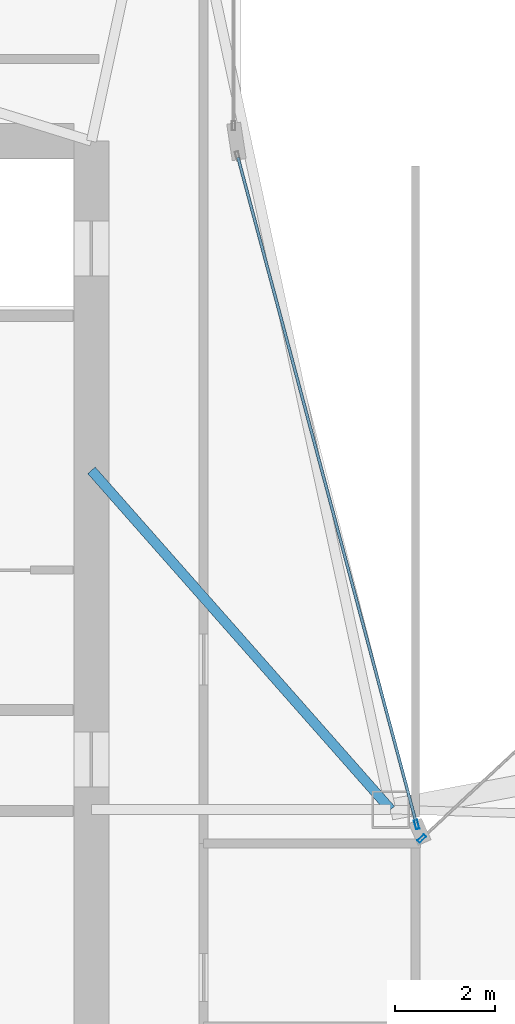
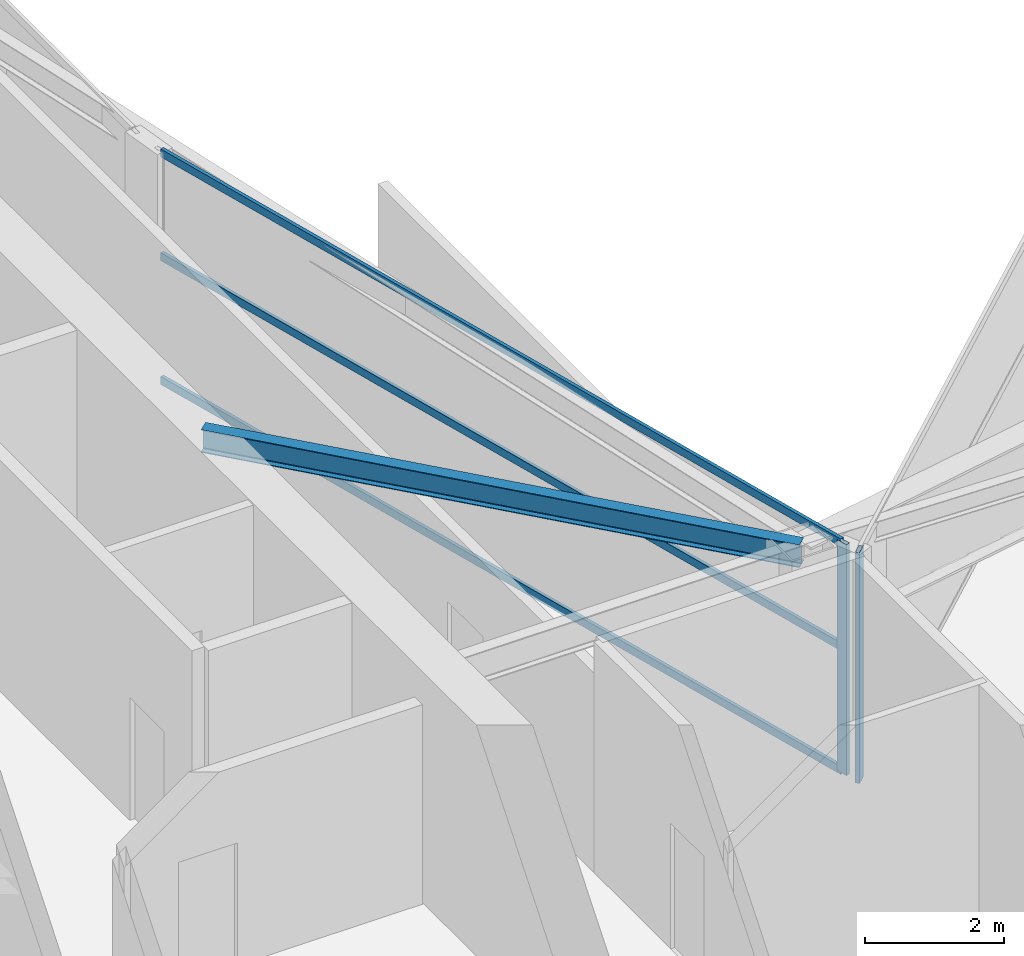
# One storey, part 10 of 27: 5 members, 1 beam, 2 elements without a shape of their own.
"""IFC4 building model written with IfcOpenShell, lengths in metres."""

from ifc_helpers import new_model, si_unit, direction, frame, origin, origin_2d, place, context, subcontext, project, spatial, hollow_rectangle, i_section, extrude, material, layer, layer_set, material_profile, profile_set, type_object, element, aggregate, save


model = new_model("IFC4")

# Units and contexts
model_context = context("Model", 3, precision=1e-05, world=origin(), true_north=direction((0.0, 1.0)))
body_context = subcontext(model_context, "Body", "Model", "MODEL_VIEW")
ifc_project = project(units=[si_unit("LENGTHUNIT", "METRE"), si_unit("AREAUNIT", "SQUARE_METRE"), si_unit("VOLUMEUNIT", "CUBIC_METRE"), si_unit("PLANEANGLEUNIT", "RADIAN"), si_unit("MASSUNIT", "GRAM", prefix="KILO")], contexts=[model_context])

# Site, building, storey
site_placement = place(None, origin())
site = spatial("IfcSite", under=ifc_project, at=site_placement, CompositionType="ELEMENT")
building_placement = place(site_placement, origin())
building = spatial("IfcBuilding", under=site, at=building_placement, Name="Calvorn Quay Hotel", CompositionType="ELEMENT")
storey_placement = place(building_placement, frame((0.0, 0.0, 239.300048828125)))
storey = spatial("IfcBuildingStorey", under=building, at=storey_placement, Name="L59", CompositionType="ELEMENT", Elevation=239.300048828125)

# Beam
ifc_material_1 = material(Name="Steel Q355B", Category="steel")
ifc_material_profile_1 = material_profile(ifc_material_1, i_section(OverallWidth=0.199951171875, OverallDepth=0.39990234375, WebThickness=0.008056640625, FlangeThickness=0.012939453125, FilletRadius=0.01611328125, at=origin_2d()), Name="HN400x200x8x13")
ifc_profile_set_1 = profile_set([ifc_material_profile_1], Name="Steel Q355B")
beam_type = type_object("IfcBeamType", Name="BM-JOIST-TYP", PredefinedType="JOIST", material=ifc_profile_set_1)
beam_placement = place(storey_placement, frame((15.0, 31.800048828125, 3.849853515625), z_axis=(0.661618965899, -0.749840212287, 0.0), x_axis=(0.749840212287, 0.661618965899, 0.0)))
element("IfcBeam", 1, at=beam_placement, inside=storey, type_object=beam_type, Name="Beam BJ-L59-C1", PredefinedType="JOIST", context=body_context, shape_type="SweptSolid", body=[
    extrude(i_section(OverallWidth=0.199951171875, OverallDepth=0.39990234375, WebThickness=0.008056640625, FlangeThickness=0.012939453125, FilletRadius=0.01611328125, at=origin_2d()), origin(), (0.0, 0.0, 1.0), 9.068603515625),
])

# Curtain wall, member
ifc_material_2 = material(Name="Champagne Bronze Anodised Aluminium and Low-E Glass", Category="aluminium")
ifc_layer = layer(ifc_material_2, 0.219970703125)
ifc_layer_set = layer_set([ifc_layer], Name="CW-SYS-Z3")
curtain_wall_type = type_object("IfcCurtainWallType", Name="CW-SYS-Z3", PredefinedType="NOTDEFINED", material=ifc_layer_set)
curtain_wall_1_placement = place(storey_placement, origin())
curtain_wall_1 = element("IfcCurtainWall", 2, at=curtain_wall_1_placement, inside=storey, type_object=curtain_wall_type, Name="Inner Court Curtain Wall L59-NE1", PredefinedType="NOTDEFINED")
ifc_material_3 = material(Name="Champagne Bronze Anodised Aluminium 6063-T6", Category="aluminium")
ifc_material_profile_2 = material_profile(ifc_material_3, hollow_rectangle(XDim=0.068115234375, YDim=0.18505859375, WallThickness=0.00390625, at=origin_2d()), Name="ALU-M185x68x4")
ifc_profile_set_2 = profile_set([ifc_material_profile_2], Name="Champagne Bronze Anodised Aluminium 6063-T6")
member_type_1 = type_object("IfcMemberType", Name="CW-SYS-Z3-MUL", PredefinedType="MULLION", material=ifc_profile_set_2)
member_1_placement = place(storey_placement, frame((21.6220703125, 24.42041015625, 0.0), z_axis=(0.0, 0.0, 1.0), x_axis=(0.681603655102, -0.731721570922, 0.0)))
member_1 = element("IfcMember", 3, at=member_1_placement, type_object=member_type_1, Name="CW-L59-NE1 mullion 3", PredefinedType="MULLION", context=body_context, shape_type="SweptSolid", body=[
    extrude(hollow_rectangle(XDim=0.068115234375, YDim=0.18505859375, WallThickness=0.00390625, at=origin_2d()), origin(), (0.0, 0.0, 1.0), 4.050048828125),
])
aggregate(curtain_wall_1, [member_1])

# Curtain wall, members
curtain_wall_2_placement = place(storey_placement, origin())
curtain_wall_2 = element("IfcCurtainWall", 4, at=curtain_wall_2_placement, inside=storey, type_object=curtain_wall_type, Name="Inner Court Curtain Wall L59-IC1", PredefinedType="NOTDEFINED")
member_2_placement = place(storey_placement, frame((21.520263671875, 24.698974609375, 0.0), z_axis=(0.0, 0.0, 1.0), x_axis=(-0.96593652056, -0.25877913024, 0.0)))
member_2 = element("IfcMember", 5, at=member_2_placement, type_object=member_type_1, Name="CW-L59-IC1 mullion 1", PredefinedType="MULLION", context=body_context, shape_type="SweptSolid", body=[
    extrude(hollow_rectangle(XDim=0.068115234375, YDim=0.18505859375, WallThickness=0.00390625, at=origin_2d()), origin(), (0.0, 0.0, 1.0), 4.050048828125),
])
ifc_material_4 = material(Name="Champagne Bronze Anodised Aluminium 6063-T6", Category="aluminium")
ifc_material_profile_3 = material_profile(ifc_material_4, hollow_rectangle(XDim=0.05810546875, YDim=0.139892578125, WallThickness=0.003173828125, at=origin_2d()), Name="ALU-T140x58x3.2")
ifc_profile_set_3 = profile_set([ifc_material_profile_3], Name="Champagne Bronze Anodised Aluminium 6063-T6")
member_type_2 = type_object("IfcMemberType", Name="CW-SYS-Z3-TRN", PredefinedType="USERDEFINED", material=ifc_profile_set_3)
member_3_placement = place(storey_placement, frame((21.512451171875, 24.72802734375, 0.030029296875), z_axis=(-0.258781136883, 0.965935982969, 0.0), x_axis=(-0.965935982969, -0.258781136883, 0.0)))
member_3 = element("IfcMember", 6, at=member_3_placement, type_object=member_type_2, Name="CW-L59-IC1 transom 1.1", ObjectType="TRANSOM", PredefinedType="USERDEFINED", context=body_context, shape_type="SweptSolid", body=[
    extrude(hollow_rectangle(XDim=0.05810546875, YDim=0.139892578125, WallThickness=0.003173828125, at=origin_2d()), origin(), (0.0, 0.0, 1.0), 13.814453125),
])
member_4_placement = place(storey_placement, frame((21.512451171875, 24.72802734375, 2.199951171875), z_axis=(-0.258781136883, 0.965935982969, 0.0), x_axis=(-0.965935982969, -0.258781136883, 0.0)))
member_4 = element("IfcMember", 7, at=member_4_placement, type_object=member_type_2, Name="CW-L59-IC1 transom 1.2", ObjectType="TRANSOM", PredefinedType="USERDEFINED", context=body_context, shape_type="SweptSolid", body=[
    extrude(hollow_rectangle(XDim=0.05810546875, YDim=0.139892578125, WallThickness=0.003173828125, at=origin_2d()), origin(), (0.0, 0.0, 1.0), 13.814453125),
])
member_5_placement = place(storey_placement, frame((21.512451171875, 24.72802734375, 4.02001953125), z_axis=(-0.258781136883, 0.965935982969, 0.0), x_axis=(-0.965935982969, -0.258781136883, 0.0)))
member_5 = element("IfcMember", 8, at=member_5_placement, type_object=member_type_2, Name="CW-L59-IC1 transom 1.3", ObjectType="TRANSOM", PredefinedType="USERDEFINED", context=body_context, shape_type="SweptSolid", body=[
    extrude(hollow_rectangle(XDim=0.05810546875, YDim=0.139892578125, WallThickness=0.003173828125, at=origin_2d()), origin(), (0.0, 0.0, 1.0), 13.814453125),
])
aggregate(curtain_wall_2, [member_2, member_3, member_4, member_5])

save(model, "model.ifc")
